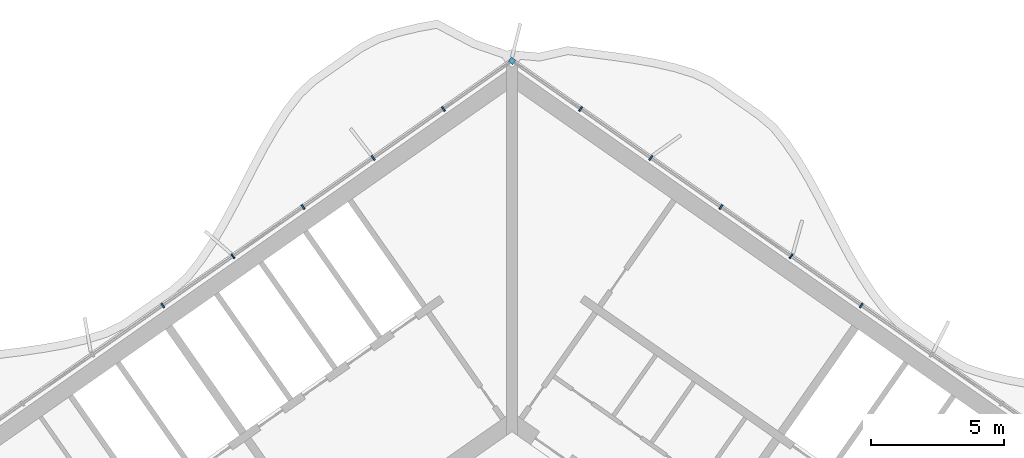
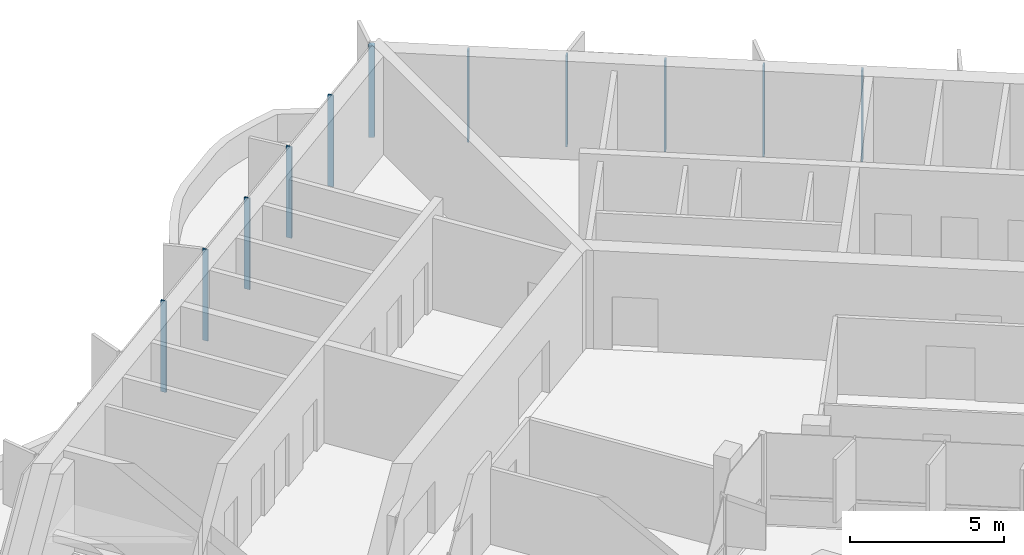
# One storey, part 7 of 20: 11 members, 1 element without a shape of its own.
"""IFC4 building model written with IfcOpenShell, lengths in metres."""

from ifc_helpers import new_model, si_unit, direction, frame, origin, origin_2d, place, context, subcontext, project, spatial, rectangle, extrude, material, material_profile, profile_set, type_object, element, aggregate, save


model = new_model("IFC4")

# Units and contexts
model_context = context("Model", 3, precision=1e-05, world=origin(), true_north=direction((0.0, 1.0)))
body_context = subcontext(model_context, "Body", "Model", "MODEL_VIEW")
ifc_project = project(units=[si_unit("LENGTHUNIT", "METRE"), si_unit("AREAUNIT", "SQUARE_METRE"), si_unit("VOLUMEUNIT", "CUBIC_METRE"), si_unit("PLANEANGLEUNIT", "RADIAN"), si_unit("MASSUNIT", "GRAM", prefix="KILO")], contexts=[model_context])

# Site, building, storey
site_placement = place(None, origin())
site = spatial("IfcSite", under=ifc_project, at=site_placement, CompositionType="ELEMENT")
building_placement = place(site_placement, origin())
building = spatial("IfcBuilding", under=site, at=building_placement, Name="Tel Ilan Convention Tower", CompositionType="ELEMENT")
storey_placement = place(building_placement, frame((0.0, 0.0, 233.199951171875)))
storey = spatial("IfcBuildingStorey", under=building, at=storey_placement, Name="L54", CompositionType="ELEMENT", Elevation=233.199951171875)

# Curtain wall, members
ifc_material_1 = material(Name="Aluminium, bronze anodised", Category="aluminium")
curtain_wall_type = type_object("IfcCurtainWallType", Name="CW2 STICK CURTAIN WALL, SPANDREL PANELS", PredefinedType="NOTDEFINED", material=ifc_material_1)
curtain_wall_placement = place(storey_placement, origin())
curtain_wall = element("IfcCurtainWall", 1, at=curtain_wall_placement, inside=storey, type_object=curtain_wall_type, Name="Curtain wall CW2-42.01", PredefinedType="NOTDEFINED")
ifc_material_2 = material(Name="Aluminium, bronze anodised", Category="aluminium")
ifc_material_profile_1 = material_profile(ifc_material_2, rectangle(XDim=0.199951171875, YDim=0.199951171875, at=origin_2d()), Name="CW CORNER MULLION 200x200")
ifc_profile_set_1 = profile_set([ifc_material_profile_1], Name="Aluminium, bronze anodised")
member_type_1 = type_object("IfcMemberType", Name="CW CORNER MULLION 200x200", PredefinedType="MULLION", material=ifc_profile_set_1)
member_1_placement = place(storey_placement, frame((0.0, 12.696044921875, 0.0), z_axis=(0.0, 0.0, 1.0), x_axis=(-0.819152044289, 0.573576436351, 0.0)))
member_1 = element("IfcMember", 2, at=member_1_placement, type_object=member_type_1, Name="Corner mullion", PredefinedType="MULLION", context=body_context, shape_type="SweptSolid", body=[
    extrude(rectangle(XDim=0.199951171875, YDim=0.199951171875, at=origin_2d()), origin(), (0.0, 0.0, 1.0), 3.6201171875),
])
ifc_material_3 = material(Name="Aluminium, bronze anodised", Category="aluminium")
ifc_material_profile_2 = material_profile(ifc_material_3, rectangle(XDim=0.06005859375, YDim=0.199951171875, at=origin_2d()), Name="CW MULLION 60x200")
ifc_profile_set_2 = profile_set([ifc_material_profile_2], Name="Aluminium, bronze anodised")
member_type_2 = type_object("IfcMemberType", Name="CW MULLION 60x200", PredefinedType="MULLION", material=ifc_profile_set_2)
member_2_placement = place(storey_placement, frame((13.105712890625, 3.519287109375, 0.0), z_axis=(0.0, 0.0, 1.0), x_axis=(-0.819152044289, 0.573576436351, 0.0)))
member_2 = element("IfcMember", 3, at=member_2_placement, type_object=member_type_2, Name="Mullion", PredefinedType="MULLION", context=body_context, shape_type="SweptSolid", body=[
    extrude(rectangle(XDim=0.06005859375, YDim=0.199951171875, at=origin_2d()), origin(), (0.0, 0.0, 1.0), 3.6201171875),
])
member_3_placement = place(storey_placement, frame((10.47314453125, 5.36279296875, 0.0), z_axis=(0.0, 0.0, 1.0), x_axis=(-0.819152044289, 0.573576436351, 0.0)))
member_3 = element("IfcMember", 4, at=member_3_placement, type_object=member_type_2, Name="Mullion", PredefinedType="MULLION", context=body_context, shape_type="SweptSolid", body=[
    extrude(rectangle(XDim=0.06005859375, YDim=0.199951171875, at=origin_2d()), origin(), (0.0, 0.0, 1.0), 3.6201171875),
])
member_4_placement = place(storey_placement, frame((7.840576171875, 7.2060546875, 0.0), z_axis=(0.0, 0.0, 1.0), x_axis=(-0.819152044289, 0.573576436351, 0.0)))
member_4 = element("IfcMember", 5, at=member_4_placement, type_object=member_type_2, Name="Mullion", PredefinedType="MULLION", context=body_context, shape_type="SweptSolid", body=[
    extrude(rectangle(XDim=0.06005859375, YDim=0.199951171875, at=origin_2d()), origin(), (0.0, 0.0, 1.0), 3.6201171875),
])
member_5_placement = place(storey_placement, frame((5.207763671875, 9.049560546875, 0.0), z_axis=(0.0, 0.0, 1.0), x_axis=(-0.819152044289, 0.573576436351, 0.0)))
member_5 = element("IfcMember", 6, at=member_5_placement, type_object=member_type_2, Name="Mullion", PredefinedType="MULLION", context=body_context, shape_type="SweptSolid", body=[
    extrude(rectangle(XDim=0.06005859375, YDim=0.199951171875, at=origin_2d()), origin(), (0.0, 0.0, 1.0), 3.6201171875),
])
member_6_placement = place(storey_placement, frame((2.5751953125, 10.892822265625, 0.0), z_axis=(0.0, 0.0, 1.0), x_axis=(-0.819152044289, 0.573576436351, 0.0)))
member_6 = element("IfcMember", 7, at=member_6_placement, type_object=member_type_2, Name="Mullion", PredefinedType="MULLION", context=body_context, shape_type="SweptSolid", body=[
    extrude(rectangle(XDim=0.06005859375, YDim=0.199951171875, at=origin_2d()), origin(), (0.0, 0.0, 1.0), 3.6201171875),
])
member_7_placement = place(storey_placement, frame((-2.5751953125, 10.892822265625, 0.0), z_axis=(0.0, 0.0, 1.0), x_axis=(-0.819152044289, -0.573576436351, 0.0)))
member_7 = element("IfcMember", 8, at=member_7_placement, type_object=member_type_2, Name="Mullion", PredefinedType="MULLION", context=body_context, shape_type="SweptSolid", body=[
    extrude(rectangle(XDim=0.06005859375, YDim=0.199951171875, at=origin_2d()), origin(), (0.0, 0.0, 1.0), 3.6201171875),
])
member_8_placement = place(storey_placement, frame((-5.207763671875, 9.049560546875, 0.0), z_axis=(0.0, 0.0, 1.0), x_axis=(-0.819152044289, -0.573576436351, 0.0)))
member_8 = element("IfcMember", 9, at=member_8_placement, type_object=member_type_2, Name="Mullion", PredefinedType="MULLION", context=body_context, shape_type="SweptSolid", body=[
    extrude(rectangle(XDim=0.06005859375, YDim=0.199951171875, at=origin_2d()), origin(), (0.0, 0.0, 1.0), 3.6201171875),
])
member_9_placement = place(storey_placement, frame((-7.840576171875, 7.2060546875, 0.0), z_axis=(0.0, 0.0, 1.0), x_axis=(-0.819152044289, -0.573576436351, 0.0)))
member_9 = element("IfcMember", 10, at=member_9_placement, type_object=member_type_2, Name="Mullion", PredefinedType="MULLION", context=body_context, shape_type="SweptSolid", body=[
    extrude(rectangle(XDim=0.06005859375, YDim=0.199951171875, at=origin_2d()), origin(), (0.0, 0.0, 1.0), 3.6201171875),
])
member_10_placement = place(storey_placement, frame((-10.47314453125, 5.36279296875, 0.0), z_axis=(0.0, 0.0, 1.0), x_axis=(-0.819152044289, -0.573576436351, 0.0)))
member_10 = element("IfcMember", 11, at=member_10_placement, type_object=member_type_2, Name="Mullion", PredefinedType="MULLION", context=body_context, shape_type="SweptSolid", body=[
    extrude(rectangle(XDim=0.06005859375, YDim=0.199951171875, at=origin_2d()), origin(), (0.0, 0.0, 1.0), 3.6201171875),
])
member_11_placement = place(storey_placement, frame((-13.105712890625, 3.519287109375, 0.0), z_axis=(0.0, 0.0, 1.0), x_axis=(-0.819152044289, -0.573576436351, 0.0)))
member_11 = element("IfcMember", 12, at=member_11_placement, type_object=member_type_2, Name="Mullion", PredefinedType="MULLION", context=body_context, shape_type="SweptSolid", body=[
    extrude(rectangle(XDim=0.06005859375, YDim=0.199951171875, at=origin_2d()), origin(), (0.0, 0.0, 1.0), 3.6201171875),
])
aggregate(curtain_wall, [member_2, member_3, member_4, member_5, member_6, member_1, member_7, member_8, member_9, member_10, member_11])

save(model, "model.ifc")
